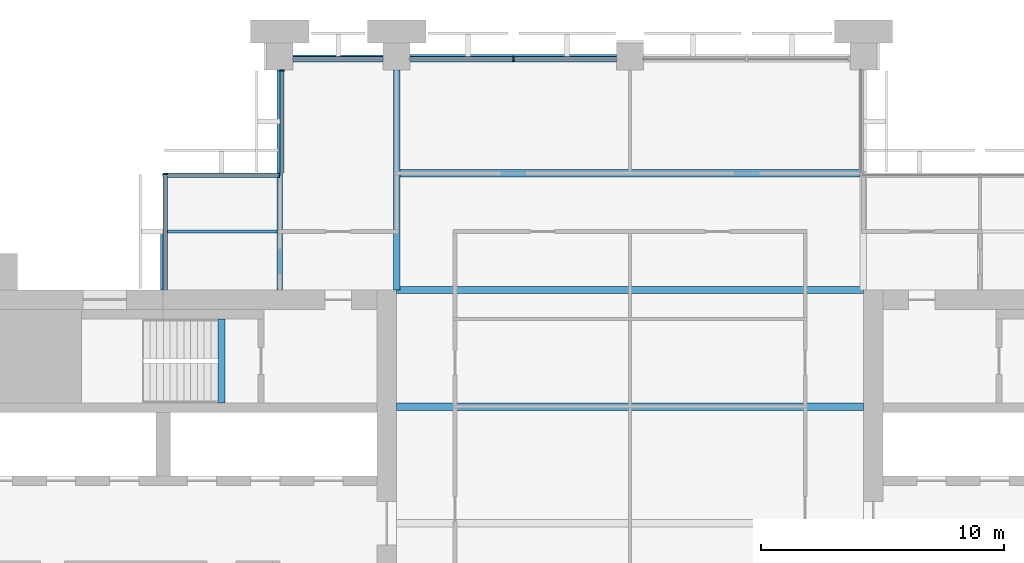
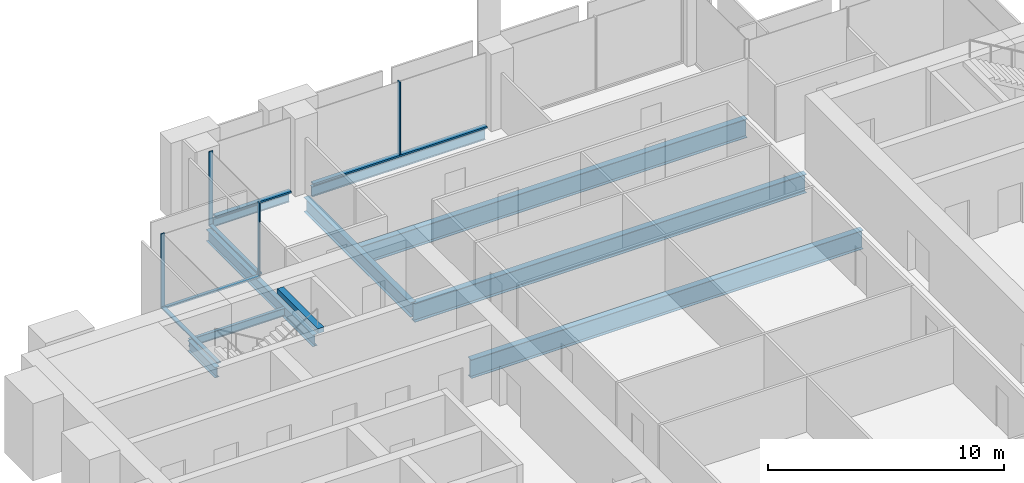
# One storey, part 5 of 13: 10 beams, 9 members, 4 elements without a shape of their own.
"""IFC4 building model written with IfcOpenShell, lengths in metres."""

from ifc_helpers import new_model, si_unit, direction, frame, origin, origin_2d, place, context, subcontext, project, spatial, rectangle, i_section, extrude, material, material_profile, profile_set, type_object, element, aggregate, save


model = new_model("IFC4")

# Units and contexts
model_context = context("Model", 3, precision=1e-05, world=origin(), true_north=direction((0.0, 1.0)))
body_context = subcontext(model_context, "Body", "Model", "MODEL_VIEW")
ifc_project = project(units=[si_unit("LENGTHUNIT", "METRE"), si_unit("AREAUNIT", "SQUARE_METRE"), si_unit("VOLUMEUNIT", "CUBIC_METRE"), si_unit("PLANEANGLEUNIT", "RADIAN"), si_unit("MASSUNIT", "GRAM", prefix="KILO")], contexts=[model_context])

# Site, building, storey
site_placement = place(None, origin())
site = spatial("IfcSite", under=ifc_project, at=site_placement, CompositionType="ELEMENT")
building_placement = place(site_placement, origin())
building = spatial("IfcBuilding", under=site, at=building_placement, Name="Baori Bourse Tower", CompositionType="ELEMENT")
storey_placement = place(building_placement, frame((0.0, 0.0, 225.199951171875)))
storey = spatial("IfcBuildingStorey", under=building, at=storey_placement, Name="L49", CompositionType="ELEMENT", Elevation=225.199951171875)

# Curtain wall, member
ifc_material_1 = material(Name="Pale anodised aluminium", Category="aluminium")
curtain_wall_type_1 = type_object("IfcCurtainWallType", Name="CW2 Curtain wall", PredefinedType="NOTDEFINED", material=ifc_material_1)
curtain_wall_1_placement = place(storey_placement, origin())
curtain_wall_1 = element("IfcCurtainWall", 1, at=curtain_wall_1_placement, inside=storey, type_object=curtain_wall_type_1, Name="Curtain wall CW2 L49 5", PredefinedType="NOTDEFINED")
ifc_material_2 = material(Name="Pale anodised aluminium", Category="aluminium")
ifc_material_profile_1 = material_profile(ifc_material_2, rectangle(XDim=0.179931640625, YDim=0.054931640625, at=origin_2d()), Name="Mullion 55x180")
ifc_profile_set_1 = profile_set([ifc_material_profile_1], Name="Pale anodised aluminium")
member_type_1 = type_object("IfcMemberType", Name="CW2 Curtain wall mullion", PredefinedType="MULLION", material=ifc_profile_set_1)
member_1_placement = place(storey_placement, frame((14.489990234375, 47.422607421875, 0.070068359375), z_axis=(0.0, 0.0, 1.0), x_axis=(1.0, 0.0, 0.0)))
member_1 = element("IfcMember", 2, at=member_1_placement, type_object=member_type_1, Name="Curtain wall CW2 mullion", PredefinedType="MULLION", context=body_context, shape_type="SweptSolid", body=[
    extrude(rectangle(XDim=0.179931640625, YDim=0.054931640625, at=origin_2d()), origin(), (0.0, 0.0, 1.0), 3.77001953125),
])

curtain_wall_2_placement = place(storey_placement, origin())
curtain_wall_2 = element("IfcCurtainWall", 3, at=curtain_wall_2_placement, inside=storey, type_object=curtain_wall_type_1, Name="Curtain wall CW2 L49 6", PredefinedType="NOTDEFINED")
member_2_placement = place(storey_placement, frame((14.37255859375, 43.110107421875, 0.070068359375), z_axis=(0.0, 0.0, 1.0), x_axis=(0.0, -1.0, 0.0)))
member_2 = element("IfcMember", 4, at=member_2_placement, type_object=member_type_1, Name="Curtain wall CW2 mullion", PredefinedType="MULLION", context=body_context, shape_type="SweptSolid", body=[
    extrude(rectangle(XDim=0.179931640625, YDim=0.054931640625, at=origin_2d()), origin(), (0.0, 0.0, 1.0), 3.77001953125),
])

curtain_wall_3_placement = place(storey_placement, origin())
curtain_wall_3 = element("IfcCurtainWall", 5, at=curtain_wall_3_placement, inside=storey, type_object=curtain_wall_type_1, Name="Curtain wall CW2 L49 7", PredefinedType="NOTDEFINED")
member_3_placement = place(storey_placement, frame((9.68994140625, 43.172607421875, 0.070068359375), z_axis=(0.0, 0.0, 1.0), x_axis=(1.0, 0.0, 0.0)))
member_3 = element("IfcMember", 6, at=member_3_placement, type_object=member_type_1, Name="Curtain wall CW2 mullion", PredefinedType="MULLION", context=body_context, shape_type="SweptSolid", body=[
    extrude(rectangle(XDim=0.179931640625, YDim=0.054931640625, at=origin_2d()), origin(), (0.0, 0.0, 1.0), 3.77001953125),
])

# Member
ifc_material_3 = material(Name="Pale anodised aluminium", Category="aluminium")
ifc_material_profile_2 = material_profile(ifc_material_3, rectangle(XDim=0.179931640625, YDim=0.070068359375, at=origin_2d()), Name="Transom 70x180")
ifc_profile_set_2 = profile_set([ifc_material_profile_2], Name="Pale anodised aluminium")
member_type_2 = type_object("IfcMemberType", Name="CW2 Curtain wall transom", PredefinedType="USERDEFINED", material=ifc_profile_set_2)
member_4_placement = place(storey_placement, frame((14.489990234375, 47.449951171875, 0.03515625), z_axis=(0.0, -1.0, 0.0), x_axis=(1.0, 0.0, 0.0)))
member_4 = element("IfcMember", 7, at=member_4_placement, type_object=member_type_2, Name="Curtain wall CW2 sill rail", ObjectType="TRANSOM", PredefinedType="USERDEFINED", context=body_context, shape_type="SweptSolid", body=[
    extrude(rectangle(XDim=0.179931640625, YDim=0.070068359375, at=origin_2d()), origin(), (0.0, 0.0, 1.0), 4.25),
])

aggregate(curtain_wall_1, [member_4, member_1])

member_5_placement = place(storey_placement, frame((14.39990234375, 43.110107421875, 0.03515625), z_axis=(-1.0, 0.0, 0.0), x_axis=(0.0, -1.0, 0.0)))
member_5 = element("IfcMember", 8, at=member_5_placement, type_object=member_type_2, Name="Curtain wall CW2 sill rail", ObjectType="TRANSOM", PredefinedType="USERDEFINED", context=body_context, shape_type="SweptSolid", body=[
    extrude(rectangle(XDim=0.179931640625, YDim=0.070068359375, at=origin_2d()), origin(), (0.0, 0.0, 1.0), 4.7998046875),
])

aggregate(curtain_wall_2, [member_5, member_2])

member_6_placement = place(storey_placement, frame((9.68994140625, 43.199951171875, 0.03515625), z_axis=(0.0, -1.0, 0.0), x_axis=(1.0, 0.0, 0.0)))
member_6 = element("IfcMember", 9, at=member_6_placement, type_object=member_type_2, Name="Curtain wall CW2 sill rail", ObjectType="TRANSOM", PredefinedType="USERDEFINED", context=body_context, shape_type="SweptSolid", body=[
    extrude(rectangle(XDim=0.179931640625, YDim=0.070068359375, at=origin_2d()), origin(), (0.0, 0.0, 1.0), 4.800048828125),
])

aggregate(curtain_wall_3, [member_6, member_3])

# Curtain wall, members
ifc_material_4 = material(Name="Pale anodised aluminium", Category="aluminium")
curtain_wall_type_2 = type_object("IfcCurtainWallType", Name="CW5 Curtain wall", PredefinedType="NOTDEFINED", material=ifc_material_4)
curtain_wall_4_placement = place(storey_placement, origin())
curtain_wall_4 = element("IfcCurtainWall", 10, at=curtain_wall_4_placement, inside=storey, type_object=curtain_wall_type_2, Name="Curtain wall CW5 L49 4", PredefinedType="NOTDEFINED")
ifc_material_5 = material(Name="Pale anodised aluminium", Category="aluminium")
ifc_material_profile_3 = material_profile(ifc_material_5, rectangle(XDim=0.219970703125, YDim=0.06494140625, at=origin_2d()), Name="Mullion 65x220")
ifc_profile_set_3 = profile_set([ifc_material_profile_3], Name="Pale anodised aluminium")
member_type_3 = type_object("IfcMemberType", Name="CW5 Curtain wall mullion", PredefinedType="MULLION", material=ifc_profile_set_3)
member_7_placement = place(storey_placement, frame((24.0, 47.889892578125, 0.0849609375), z_axis=(0.0, 0.0, 1.0), x_axis=(0.0, -1.0, 0.0)))
member_7 = element("IfcMember", 11, at=member_7_placement, type_object=member_type_3, Name="Curtain wall CW5 mullion", PredefinedType="MULLION", context=body_context, shape_type="SweptSolid", body=[
    extrude(rectangle(XDim=0.219970703125, YDim=0.06494140625, at=origin_2d()), origin(), (0.0, 0.0, 1.0), 3.755126953125),
])
ifc_material_6 = material(Name="Pale anodised aluminium", Category="aluminium")
ifc_material_profile_4 = material_profile(ifc_material_6, rectangle(XDim=0.219970703125, YDim=0.0849609375, at=origin_2d()), Name="Transom 85x220")
ifc_profile_set_4 = profile_set([ifc_material_profile_4], Name="Pale anodised aluminium")
member_type_4 = type_object("IfcMemberType", Name="CW5 Curtain wall transom", PredefinedType="USERDEFINED", material=ifc_profile_set_4)
member_8_placement = place(storey_placement, frame((28.25, 47.889892578125, 0.04248046875), z_axis=(-1.0, 0.0, 0.0), x_axis=(0.0, -1.0, 0.0)))
member_8 = element("IfcMember", 12, at=member_8_placement, type_object=member_type_4, Name="Curtain wall CW5 sill rail", ObjectType="TRANSOM", PredefinedType="USERDEFINED", context=body_context, shape_type="SweptSolid", body=[
    extrude(rectangle(XDim=0.219970703125, YDim=0.0849609375, at=origin_2d()), origin(), (0.0, 0.0, 1.0), 8.5),
])
member_9_placement = place(storey_placement, frame((18.64990234375, 47.889892578125, 0.04248046875), z_axis=(-1.0, 0.0, 0.0), x_axis=(0.0, -1.0, 0.0)))
member_9 = element("IfcMember", 13, at=member_9_placement, type_object=member_type_4, Name="Curtain wall CW5 sill rail", ObjectType="TRANSOM", PredefinedType="USERDEFINED", context=body_context, shape_type="SweptSolid", body=[
    extrude(rectangle(XDim=0.219970703125, YDim=0.0849609375, at=origin_2d()), origin(), (0.0, 0.0, 1.0), 3.699951171875),
])
aggregate(curtain_wall_4, [member_8, member_7, member_9])

# Beams
ifc_material_7 = material(Name="Steel A992 Gr 50", Category="steel")
ifc_material_profile_5 = material_profile(ifc_material_7, i_section(OverallWidth=0.21240234375, OverallDepth=0.54345703125, WebThickness=0.01318359375, FlangeThickness=0.021240234375, at=origin_2d()), Name="W21x83")
ifc_profile_set_5 = profile_set([ifc_material_profile_5], Name="Steel A992 Gr 50")
beam_type_1 = type_object("IfcBeamType", Name="Core bracket W21x83", PredefinedType="BEAM", material=ifc_profile_set_5)
beam_1_placement = place(storey_placement, frame((9.60009765625, 38.39990234375, -0.431640625), z_axis=(0.0, 1.0, 0.0), x_axis=(-1.0, 0.0, 0.0)))
element("IfcBeam", 14, at=beam_1_placement, inside=storey, type_object=beam_type_1, Name="Core bracket L49", PredefinedType="BEAM", context=body_context, shape_type="SweptSolid", body=[
    extrude(i_section(OverallWidth=0.21240234375, OverallDepth=0.54345703125, WebThickness=0.01318359375, FlangeThickness=0.021240234375, at=origin_2d()), origin(), (0.0, 0.0, 1.0), 2.329833984375),
])
ifc_material_8 = material(Name="Steel A992 Gr 50", Category="steel")
ifc_material_profile_6 = material_profile(ifc_material_8, i_section(OverallWidth=0.140380859375, OverallDepth=0.40380859375, WebThickness=0.007080078125, FlangeThickness=0.01123046875, at=origin_2d()), Name="W16x31")
ifc_profile_set_6 = profile_set([ifc_material_profile_6], Name="Steel A992 Gr 50")
beam_type_2 = type_object("IfcBeamType", Name="Edge beam W16x31", PredefinedType="BEAM", material=ifc_profile_set_6)
beam_2_placement = place(storey_placement, frame((14.949951171875, 48.0, -0.36181640625), z_axis=(1.0, 0.0, 0.0), x_axis=(0.0, 1.0, 0.0)))
element("IfcBeam", 15, at=beam_2_placement, inside=storey, type_object=beam_type_2, Name="Edge beam L49", PredefinedType="BEAM", context=body_context, shape_type="SweptSolid", body=[
    extrude(i_section(OverallWidth=0.140380859375, OverallDepth=0.40380859375, WebThickness=0.007080078125, FlangeThickness=0.01123046875, at=origin_2d()), origin(), (0.0, 0.0, 1.0), 3.699951171875),
])
ifc_material_9 = material(Name="Steel A992 Gr 50", Category="steel")
ifc_material_profile_7 = material_profile(ifc_material_9, i_section(OverallWidth=0.1650390625, OverallDepth=0.52587890625, WebThickness=0.0087890625, FlangeThickness=0.011474609375, at=origin_2d()), Name="W21x44")
ifc_profile_set_7 = profile_set([ifc_material_profile_7], Name="Steel A992 Gr 50")
beam_type_3 = type_object("IfcBeamType", Name="Edge beam W21x44", PredefinedType="BEAM", material=ifc_profile_set_7)
beam_3_placement = place(storey_placement, frame((19.75, 48.0, -0.4228515625), z_axis=(1.0, 0.0, 0.0), x_axis=(0.0, 1.0, 0.0)))
element("IfcBeam", 16, at=beam_3_placement, inside=storey, type_object=beam_type_3, Name="Edge beam L49", PredefinedType="BEAM", context=body_context, shape_type="SweptSolid", body=[
    extrude(i_section(OverallWidth=0.1650390625, OverallDepth=0.52587890625, WebThickness=0.0087890625, FlangeThickness=0.011474609375, at=origin_2d()), origin(), (0.0, 0.0, 1.0), 8.5),
])
ifc_material_10 = material(Name="Steel A992 Gr 50", Category="steel")
ifc_material_profile_8 = material_profile(ifc_material_10, i_section(OverallWidth=0.227783203125, OverallDepth=0.60205078125, WebThickness=0.010498046875, FlangeThickness=0.014892578125, at=origin_2d()), Name="W24x68")
ifc_profile_set_8 = profile_set([ifc_material_profile_8], Name="Steel A992 Gr 50")
beam_type_4 = type_object("IfcBeamType", Name="Floor beam W24x68", PredefinedType="BEAM", material=ifc_profile_set_8)
beam_4_placement = place(storey_placement, frame((14.39990234375, 38.39990234375, -0.4609375), z_axis=(0.0, 1.0, 0.0), x_axis=(-1.0, 0.0, 0.0)))
element("IfcBeam", 17, at=beam_4_placement, inside=storey, type_object=beam_type_4, Name="Floor beam L49", PredefinedType="BEAM", context=body_context, shape_type="SweptSolid", body=[
    extrude(i_section(OverallWidth=0.227783203125, OverallDepth=0.60205078125, WebThickness=0.010498046875, FlangeThickness=0.014892578125, at=origin_2d()), origin(), (0.0, 0.0, 1.0), 9.050048828125),
])
ifc_material_11 = material(Name="Steel A992 Gr 50", Category="steel")
ifc_material_profile_9 = material_profile(ifc_material_11, i_section(OverallWidth=0.2998046875, OverallDepth=0.97021484375, WebThickness=0.01611328125, FlangeThickness=0.02099609375, at=origin_2d()), Name="W40x149")
ifc_profile_set_9 = profile_set([ifc_material_profile_9], Name="Steel A992 Gr 50")
beam_type_5 = type_object("IfcBeamType", Name="Floor beam W40x149", PredefinedType="BEAM", material=ifc_profile_set_9)
for number, where, z_axis, x_axis, name in (
    (18, (19.199951171875, 33.60009765625, -0.64501953125), (1.0, 0.0, 0.0), (0.0, 1.0, 0.0), "Floor beam L49"),
    (19, (19.199951171875, 38.39990234375, -0.64501953125), (1.0, 0.0, 0.0), (0.0, 1.0, 0.0), "Floor beam L49"),
):
    element("IfcBeam", number, at=place(storey_placement, frame(where, z_axis=z_axis, x_axis=x_axis)), inside=storey, type_object=beam_type_5, Name=name, PredefinedType="BEAM", context=body_context, shape_type="SweptSolid", body=[
        extrude(i_section(OverallWidth=0.2998046875, OverallDepth=0.97021484375, WebThickness=0.01611328125, FlangeThickness=0.02099609375, at=origin_2d()), origin(), (0.0, 0.0, 1.0), 19.199951171875),
    ])
beam_5_placement = place(storey_placement, frame((19.333251953125, 43.199951171875, -0.64501953125), z_axis=(1.0, 0.0, 0.0), x_axis=(0.0, 1.0, 0.0)))
element("IfcBeam", 20, at=beam_5_placement, inside=storey, type_object=beam_type_5, Name="Floor beam L49", PredefinedType="BEAM", context=body_context, shape_type="SweptSolid", body=[
    extrude(i_section(OverallWidth=0.2998046875, OverallDepth=0.97021484375, WebThickness=0.01611328125, FlangeThickness=0.02099609375, at=origin_2d()), origin(), (0.0, 0.0, 1.0), 18.933349609375),
])
ifc_material_12 = material(Name="Steel A992 Gr 50", Category="steel")
ifc_material_profile_10 = material_profile(ifc_material_12, i_section(OverallWidth=0.2666015625, OverallDepth=0.7568359375, WebThickness=0.013916015625, FlangeThickness=0.019287109375, at=origin_2d()), Name="W30x108")
ifc_profile_set_10 = profile_set([ifc_material_profile_10], Name="Steel A992 Gr 50")
beam_type_6 = type_object("IfcBeamType", Name="Girder W30x108", PredefinedType="BEAM", material=ifc_profile_set_10)
beam_6_placement = place(storey_placement, frame((19.199951171875, 38.39990234375, -0.538330078125), z_axis=(0.0, 1.0, 0.0), x_axis=(-1.0, 0.0, 0.0)))
element("IfcBeam", 21, at=beam_6_placement, inside=storey, type_object=beam_type_6, Name="Girder L49", PredefinedType="BEAM", context=body_context, shape_type="SweptSolid", body=[
    extrude(i_section(OverallWidth=0.2666015625, OverallDepth=0.7568359375, WebThickness=0.013916015625, FlangeThickness=0.019287109375, at=origin_2d()), origin(), (0.0, 0.0, 1.0), 9.050048828125),
])
ifc_material_13 = material(Name="Concrete f'c 50 MPa", Category="concrete")
ifc_material_profile_11 = material_profile(ifc_material_13, rectangle(XDim=0.300048828125, YDim=0.25, at=origin_2d()), Name="RC 300x250")
ifc_profile_set_11 = profile_set([ifc_material_profile_11], Name="Concrete f'c 50 MPa")
beam_type_7 = type_object("IfcBeamType", Name="Stair nib beam RC 300x250", PredefinedType="BEAM", material=ifc_profile_set_11)
beam_7_placement = place(storey_placement, frame((12.0, 33.75, 3.715087890625), z_axis=(0.0, 1.0, 0.0), x_axis=(-1.0, 0.0, 0.0)))
element("IfcBeam", 22, at=beam_7_placement, inside=storey, type_object=beam_type_7, Name="Stair WB nib beam L50", PredefinedType="BEAM", context=body_context, shape_type="SweptSolid", body=[
    extrude(rectangle(XDim=0.300048828125, YDim=0.25, at=origin_2d()), origin(), (0.0, 0.0, 1.0), 3.449951171875),
])
ifc_material_14 = material(Name="Steel A992 Gr 50", Category="steel")
ifc_material_profile_12 = material_profile(ifc_material_14, i_section(OverallWidth=0.140380859375, OverallDepth=0.40380859375, WebThickness=0.007080078125, FlangeThickness=0.01123046875, at=origin_2d()), Name="W16x31")
ifc_profile_set_12 = profile_set([ifc_material_profile_12], Name="Steel A992 Gr 50")
beam_type_8 = type_object("IfcBeamType", Name="Trimmer beam W16x31", PredefinedType="BEAM", material=ifc_profile_set_12)
beam_8_placement = place(storey_placement, frame((9.60009765625, 40.800048828125, -0.36181640625), z_axis=(1.0, 0.0, 0.0), x_axis=(0.0, 1.0, 0.0)))
element("IfcBeam", 23, at=beam_8_placement, inside=storey, type_object=beam_type_8, Name="Trimmer beam L49", PredefinedType="BEAM", context=body_context, shape_type="SweptSolid", body=[
    extrude(i_section(OverallWidth=0.140380859375, OverallDepth=0.40380859375, WebThickness=0.007080078125, FlangeThickness=0.01123046875, at=origin_2d()), origin(), (0.0, 0.0, 1.0), 4.68603515625),
])

save(model, "model.ifc")
